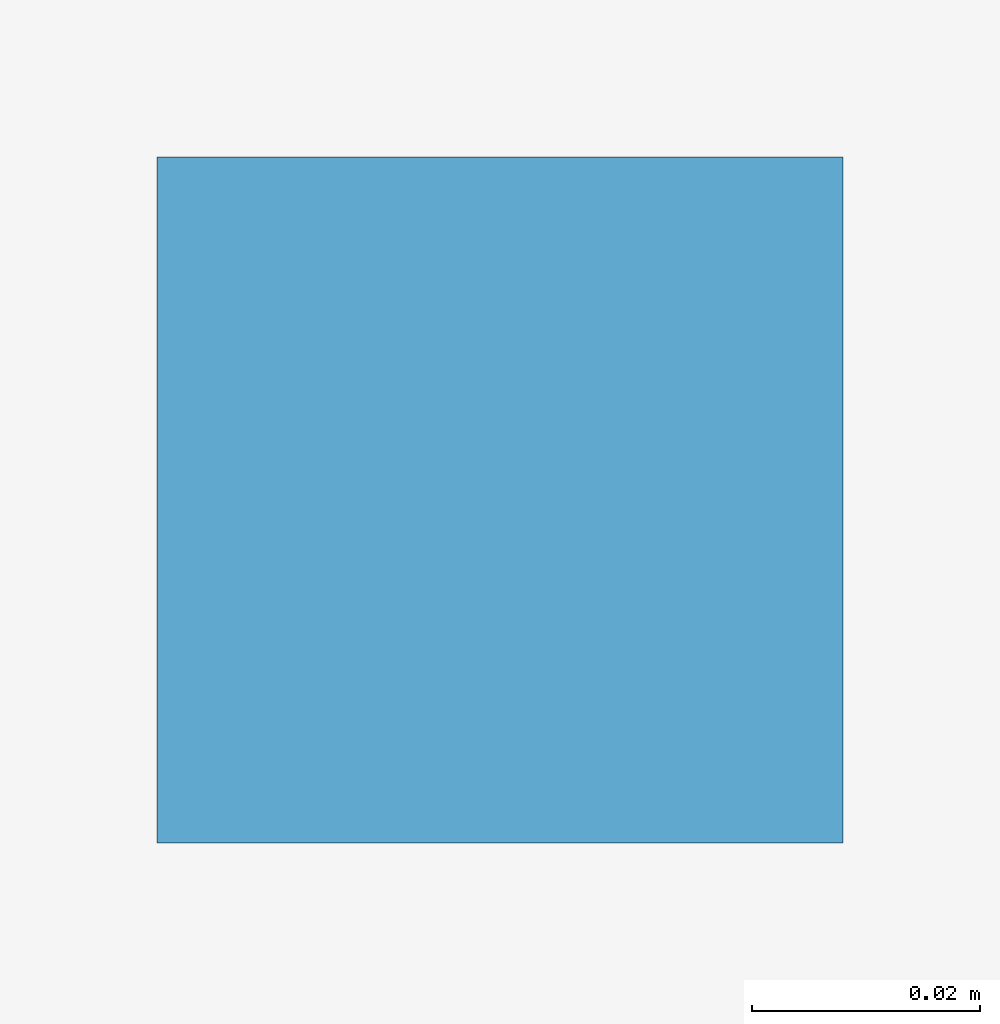
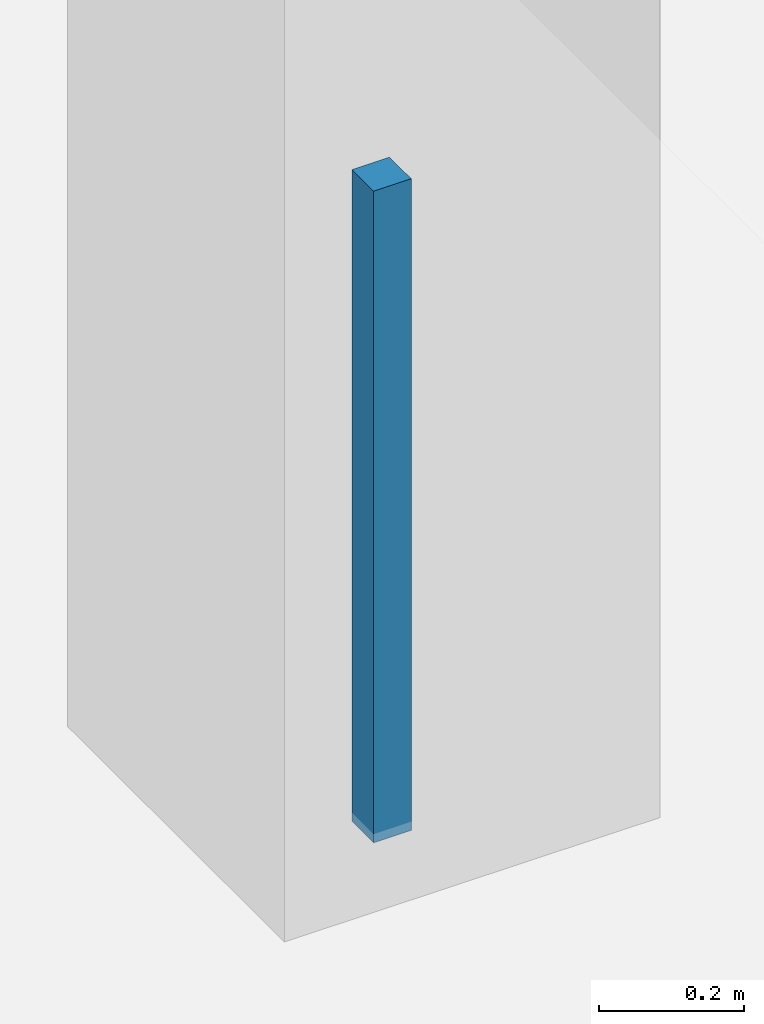
# One storey, part 53 of 59: 1 discrete accessory.
"""IFC4 building model written with IfcOpenShell, lengths in metres."""

from ifc_helpers import new_model, si_unit, direction, frame, origin, origin_2d, place, context, subcontext, project, spatial, rectangle, extrude, material, type_object, element, save


model = new_model("IFC4")

# Units and contexts
model_context = context("Model", 3, precision=1e-05, world=origin(), true_north=direction((0.0, 1.0)))
body_context = subcontext(model_context, "Body", "Model", "MODEL_VIEW")
ifc_project = project(units=[si_unit("LENGTHUNIT", "METRE"), si_unit("AREAUNIT", "SQUARE_METRE"), si_unit("VOLUMEUNIT", "CUBIC_METRE"), si_unit("PLANEANGLEUNIT", "RADIAN"), si_unit("MASSUNIT", "GRAM", prefix="KILO")], contexts=[model_context])

# Site, building, storey
site_placement = place(None, origin())
site = spatial("IfcSite", under=ifc_project, at=site_placement, CompositionType="ELEMENT")
building_placement = place(site_placement, origin())
building = spatial("IfcBuilding", under=site, at=building_placement, Name="Kangsadwip Square Police Headquarters", CompositionType="ELEMENT")
storey_placement = place(building_placement, frame((0.0, 0.0, 21.60009765625)))
storey = spatial("IfcBuildingStorey", under=building, at=storey_placement, Name="L05", CompositionType="ELEMENT", Elevation=21.60009765625)

# Discrete accessory
ifc_material = material(Name="Structural steel IS 2062 E350 (Grade 350, 350 MPa)", Category="steel")
discrete_accessory_type = type_object("IfcDiscreteAccessoryType", Name="VeilOutriggerBracket", PredefinedType="BRACKET", material=ifc_material)
discrete_accessory_placement = place(storey_placement, frame((149.14990234375, 68.39990234375, 2.809814453125), z_axis=(0.0, 0.0, 1.0), x_axis=(1.0, 0.0, 0.0)))
element("IfcDiscreteAccessory", 1, at=discrete_accessory_placement, inside=storey, type_object=discrete_accessory_type, Name="Ceiling Suspension Hanger L05-148", PredefinedType="BRACKET", context=body_context, shape_type="SweptSolid", body=[
    extrude(rectangle(XDim=0.06005859375, YDim=0.06005859375, at=origin_2d()), origin(), (0.0, 0.0, 1.0), 1.10009765625),
])

save(model, "model.ifc")
